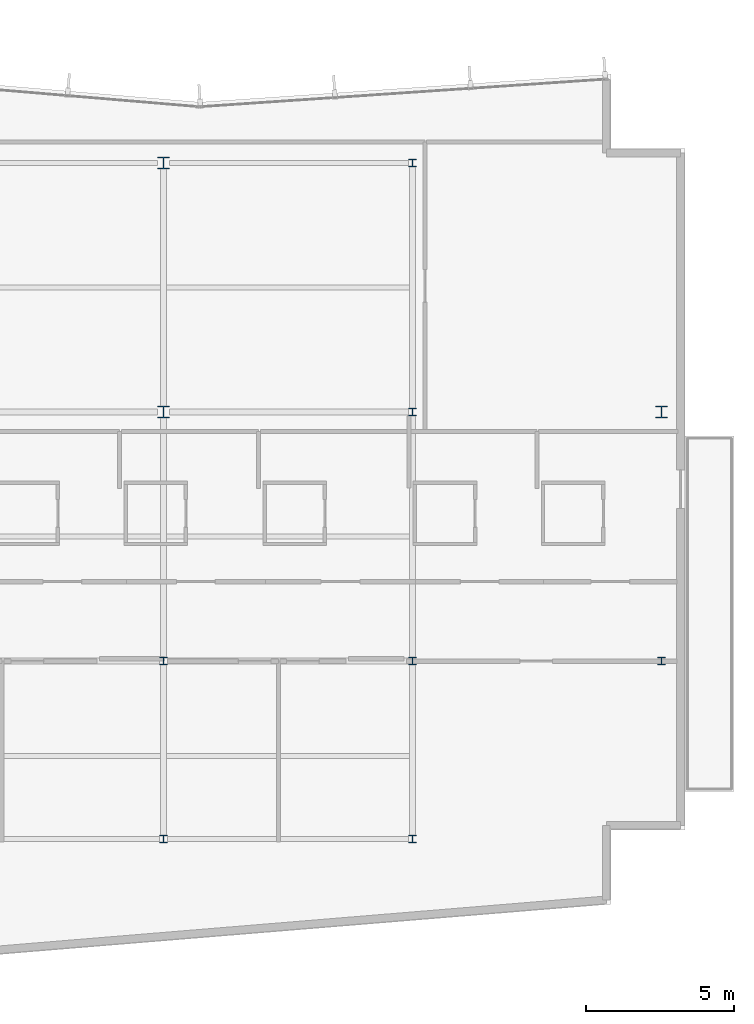
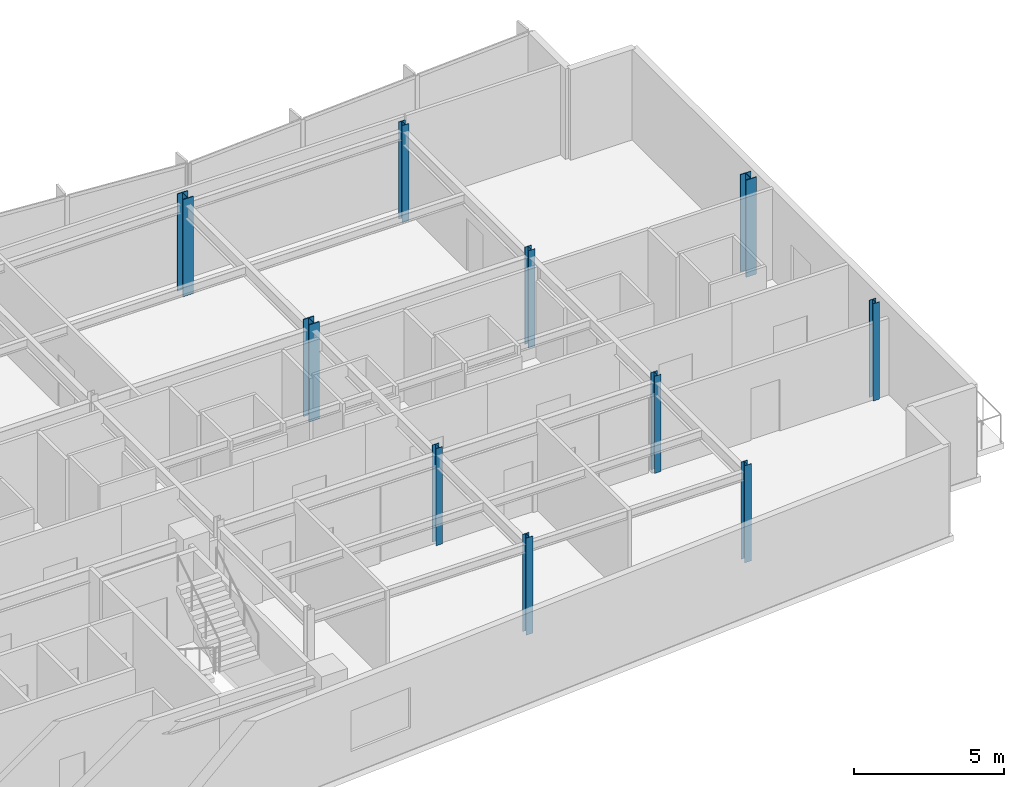
# One storey, part 2 of 15: 10 columns.
"""IFC4 building model written with IfcOpenShell, lengths in metres."""

from ifc_helpers import new_model, si_unit, direction, frame, origin, origin_2d, place, context, subcontext, project, spatial, i_section, extrude, material, material_profile, profile_set, type_object, element, save


model = new_model("IFC4")

# Units and contexts
model_context = context("Model", 3, precision=1e-05, world=origin(), true_north=direction((0.0, 1.0)))
body_context = subcontext(model_context, "Body", "Model", "MODEL_VIEW")
ifc_project = project(units=[si_unit("LENGTHUNIT", "METRE"), si_unit("AREAUNIT", "SQUARE_METRE"), si_unit("VOLUMEUNIT", "CUBIC_METRE"), si_unit("PLANEANGLEUNIT", "RADIAN"), si_unit("MASSUNIT", "GRAM", prefix="KILO")], contexts=[model_context])

# Site, building, storey
site_placement = place(None, origin())
site = spatial("IfcSite", under=ifc_project, at=site_placement, CompositionType="ELEMENT")
building_placement = place(site_placement, origin())
building = spatial("IfcBuilding", under=site, at=building_placement, Name="Varnakote Quay Hospital", CompositionType="ELEMENT")
storey_placement = place(building_placement, frame((0.0, 0.0, 231.60009765625)))
storey = spatial("IfcBuildingStorey", under=building, at=storey_placement, Name="L57", CompositionType="ELEMENT", Elevation=231.60009765625)

# Columns
ifc_material_1 = material(Name="Structural steel AS/NZS 3679.1 Grade 350 L0 (fy 340 MPa)", Category="steel")
ifc_material_profile_1 = material_profile(ifc_material_1, i_section(OverallWidth=0.256103515625, OverallDepth=0.260009765625, WebThickness=0.010498046875, FlangeThickness=0.017333984375, FilletRadius=0.0126953125, at=origin_2d()), Name="250UC89.5")
ifc_profile_set_1 = profile_set([ifc_material_profile_1], Name="Structural steel AS/NZS 3679.1 Grade 350 L0 (fy 340 MPa)")
column_type_1 = type_object("IfcColumnType", Name="COL-STL-250UC89-5", PredefinedType="COLUMN", material=ifc_profile_set_1)
for number, where, z_axis, x_axis, name in (
    (1, (33.60009765625, 6.0, 0.0), (0.0, 0.0, 1.0), (1.0, 0.0, 0.0), "L57 Structural Column C-34-6"),
    (2, (42.0, 6.0, 0.0), (0.0, 0.0, 1.0), (1.0, 0.0, 0.0), "L57 Structural Column C-42-6"),
    (3, (33.60009765625, 12.0, 0.0), (0.0, 0.0, 1.0), (1.0, 0.0, 0.0), "L57 Structural Column C-34-12"),
    (4, (42.0, 12.0, 0.0), (0.0, 0.0, 1.0), (1.0, 0.0, 0.0), "L57 Structural Column C-42-12"),
    (5, (50.39990234375, 12.0, 0.0), (0.0, 0.0, 1.0), (1.0, 0.0, 0.0), "L57 Structural Column C-50-12"),
    (6, (42.0, 20.39990234375, 0.0), (0.0, 0.0, 1.0), (1.0, 0.0, 0.0), "L57 Structural Column C-42-20"),
    (7, (42.0, 28.800048828125, 0.0), (0.0, 0.0, 1.0), (1.0, 0.0, 0.0), "L57 Structural Column C-42-29"),
):
    element("IfcColumn", number, at=place(storey_placement, frame(where, z_axis=z_axis, x_axis=x_axis)), inside=storey, type_object=column_type_1, Name=name, PredefinedType="COLUMN", context=body_context, shape_type="SweptSolid", body=[
        extrude(i_section(OverallWidth=0.256103515625, OverallDepth=0.260009765625, WebThickness=0.010498046875, FlangeThickness=0.017333984375, FilletRadius=0.0126953125, at=origin_2d()), origin(), (0.0, 0.0, 1.0), 3.949951171875),
    ])
ifc_material_2 = material(Name="Structural steel AS/NZS 3678 Grade 350 (fy 340 MPa)", Category="steel")
ifc_material_profile_2 = material_profile(ifc_material_2, i_section(OverallWidth=0.39990234375, OverallDepth=0.404052734375, WebThickness=0.02001953125, FlangeThickness=0.031982421875, at=origin_2d()), Name="400WC270")
ifc_profile_set_2 = profile_set([ifc_material_profile_2], Name="Structural steel AS/NZS 3678 Grade 350 (fy 340 MPa)")
column_type_2 = type_object("IfcColumnType", Name="COL-STL-400WC270", PredefinedType="COLUMN", material=ifc_profile_set_2)
for number, where, z_axis, x_axis, name in (
    (8, (33.60009765625, 20.39990234375, 0.0), (0.0, 0.0, 1.0), (1.0, 0.0, 0.0), "L57 Structural Column C-34-20"),
    (9, (50.39990234375, 20.39990234375, 0.0), (0.0, 0.0, 1.0), (1.0, 0.0, 0.0), "L57 Structural Column C-50-20"),
    (10, (33.60009765625, 28.800048828125, 0.0), (0.0, 0.0, 1.0), (1.0, 0.0, 0.0), "L57 Structural Column C-34-29"),
):
    element("IfcColumn", number, at=place(storey_placement, frame(where, z_axis=z_axis, x_axis=x_axis)), inside=storey, type_object=column_type_2, Name=name, PredefinedType="COLUMN", context=body_context, shape_type="SweptSolid", body=[
        extrude(i_section(OverallWidth=0.39990234375, OverallDepth=0.404052734375, WebThickness=0.02001953125, FlangeThickness=0.031982421875, at=origin_2d()), origin(), (0.0, 0.0, 1.0), 3.949951171875),
    ])

save(model, "model.ifc")
